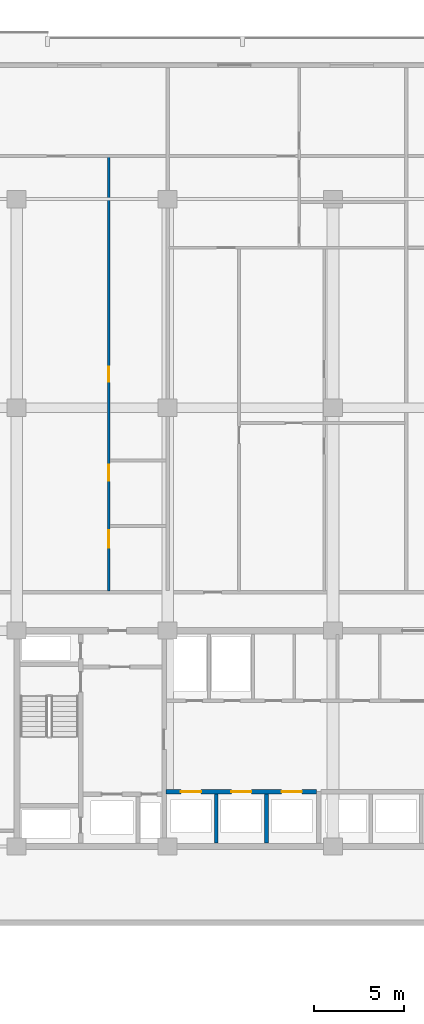
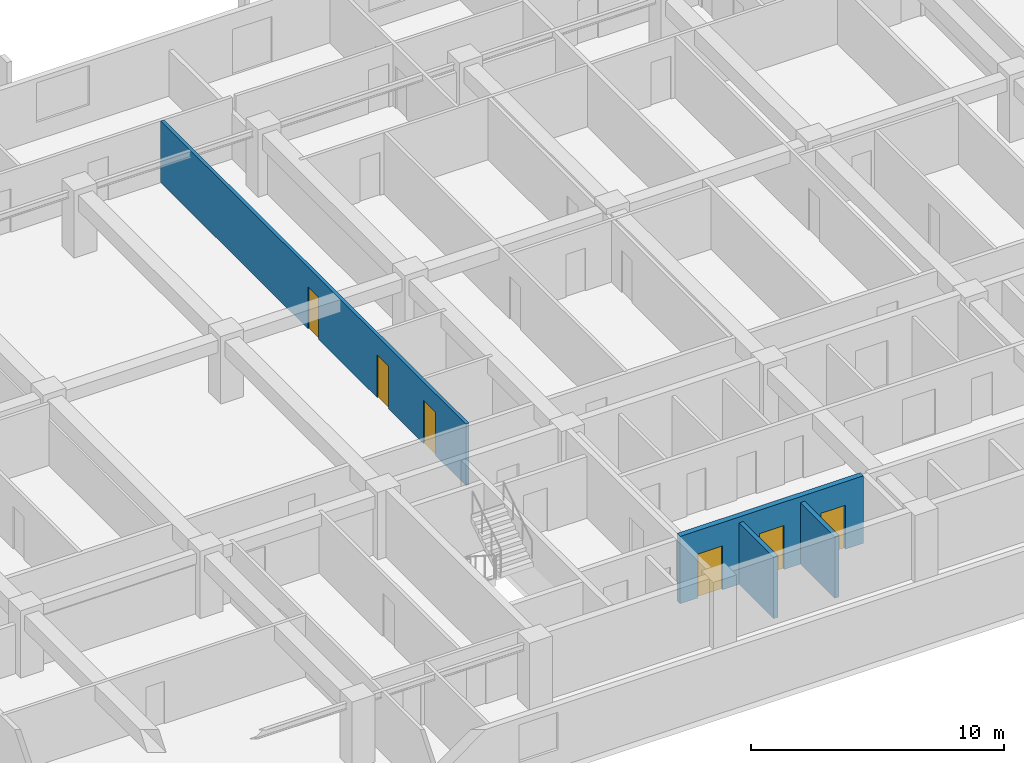
# One storey, part 10 of 23: 6 doors, 4 walls, 6 openings.
"""IFC4 building model written with IfcOpenShell, lengths in metres."""

from ifc_helpers import new_model, si_unit, direction, frame, frame_2d, origin, place, context, subcontext, project, spatial, rectangle, extrude, material, layer, layer_set, type_object, element, fill, save


model = new_model("IFC4")

# Units and contexts
model_context = context("Model", 3, precision=1e-05, world=origin(), true_north=direction((0.0, 1.0)))
body_context = subcontext(model_context, "Body", "Model", "MODEL_VIEW")
ifc_project = project(units=[si_unit("LENGTHUNIT", "METRE"), si_unit("AREAUNIT", "SQUARE_METRE"), si_unit("VOLUMEUNIT", "CUBIC_METRE"), si_unit("PLANEANGLEUNIT", "RADIAN"), si_unit("MASSUNIT", "GRAM", prefix="KILO")], contexts=[model_context])

# Site, building, storey
site_placement = place(None, origin())
site = spatial("IfcSite", under=ifc_project, at=site_placement, CompositionType="ELEMENT")
building_placement = place(site_placement, origin())
building = spatial("IfcBuilding", under=site, at=building_placement, Name="Korimba Cascade Residences", CompositionType="ELEMENT")
storey_placement = place(building_placement, frame((0.0, 0.0, 40.25)))
storey = spatial("IfcBuildingStorey", under=building, at=storey_placement, Name="L10", CompositionType="ELEMENT", Elevation=40.25)

# Wall, openings, doors
ifc_material_1 = material(Name="Insulated Acoustic Stud Partition", Category="gypsum")
ifc_layer_1 = layer(ifc_material_1, 0.14990234375)
ifc_layer_set_1 = layer_set([ifc_layer_1], Name="Insulated Acoustic Stud Partition")
wall_type_1 = type_object("IfcWallType", Name="WAL-PART-150", PredefinedType="PARTITIONING", material=ifc_layer_set_1)
wall_1_placement = place(storey_placement, frame((81.2294921875, 69.409912109375, 0.0), z_axis=(0.0, 0.0, 1.0), x_axis=(0.0, 1.0, 0.0)))
wall_1 = element("IfcWall", 1, at=wall_1_placement, inside=storey, type_object=wall_type_1, Name="L10 Partition Wall WAL-L10-T1-U02-WCV", PredefinedType="PARTITIONING", context=body_context, shape_type="SweptSolid", body=[
    extrude(rectangle(XDim=24.130126953125, YDim=0.14990234375, at=frame_2d((12.06494140625, 0.0))), origin(), (0.0, 0.0, 1.0), 2.969970703125),
])
opening_1_placement = place(wall_1_placement, frame((2.406005859375, 0.0, 0.0)))
opening_1 = element("IfcOpeningElement", 2, at=opening_1_placement, cuts=wall_1, Name="Opening D-AC1", PredefinedType="OPENING", context=body_context, shape_type="SweptSolid", body=[
    extrude(rectangle(XDim=0.9599609375, YDim=2.10009765625, at=frame_2d((0.47998046875, 1.050048828125))), frame((0.0, 0.0849609375, 0.0), z_axis=(0.0, -1.0, 0.0), x_axis=(1.0, 0.0, 0.0)), (0.0, 0.0, 1.0), 0.169921875),
])
opening_2_placement = place(wall_1_placement, frame((6.132568359375, 0.0, 0.0)))
opening_2 = element("IfcOpeningElement", 3, at=opening_2_placement, cuts=wall_1, Name="Opening D-IN2", PredefinedType="OPENING", context=body_context, shape_type="SweptSolid", body=[
    extrude(rectangle(XDim=0.8798828125, YDim=2.06005859375, at=frame_2d((0.43994140625, 1.030029296875))), frame((0.0, 0.0849609375, 0.0), z_axis=(0.0, -1.0, 0.0), x_axis=(1.0, 0.0, 0.0)), (0.0, 0.0, 1.0), 0.169921875),
])
opening_3_placement = place(wall_1_placement, frame((11.64501953125, 0.0, 0.0)))
opening_3 = element("IfcOpeningElement", 4, at=opening_3_placement, cuts=wall_1, Name="Opening D-BT1", PredefinedType="OPENING", context=body_context, shape_type="SweptSolid", body=[
    extrude(rectangle(XDim=0.840087890625, YDim=2.0400390625, at=frame_2d((0.419921875, 1.02001953125))), frame((0.0, 0.0849609375, 0.0), z_axis=(0.0, -1.0, 0.0), x_axis=(1.0, 0.0, 0.0)), (0.0, 0.0, 1.0), 0.169921875),
])
ifc_material_2 = material(Name="Accessible Acoustic Timber WC Door", Category="wood")
door_type_1 = type_object("IfcDoorType", Name="DR-ACC-950", OperationType="NOTDEFINED", PredefinedType="DOOR", material=ifc_material_2)
door_1_placement = place(opening_1_placement, origin())
door_1 = element("IfcDoor", 5, at=door_1_placement, inside=storey, type_object=door_type_1, Name="L10-T1-U02 Accessible WC Door", OperationType="SINGLE_SWING_LEFT", OverallHeight=2.10009765625, OverallWidth=0.9599609375, PredefinedType="DOOR", context=body_context, shape_type="SweptSolid", body=[
    extrude(rectangle(XDim=0.9599609375, YDim=2.10009765625, at=frame_2d((0.47998046875, 1.050048828125))), frame((0.0, 0.02490234375, 0.0), z_axis=(0.0, -1.0, 0.0), x_axis=(1.0, 0.0, 0.0)), (0.0, 0.0, 1.0), 0.050048828125),
])
fill(opening_1, door_1)
ifc_material_3 = material(Name="Moisture-Resistant Bathroom Timber Door", Category="wood")
door_type_2 = type_object("IfcDoorType", Name="DR-INT-850", OperationType="NOTDEFINED", PredefinedType="DOOR", material=ifc_material_3)
door_2_placement = place(opening_3_placement, origin())
door_2 = element("IfcDoor", 6, at=door_2_placement, inside=storey, type_object=door_type_2, Name="L10-T1-U02 Suite Store Door", OperationType="SINGLE_SWING_LEFT", OverallHeight=2.0400390625, OverallWidth=0.840087890625, PredefinedType="DOOR", context=body_context, shape_type="SweptSolid", body=[
    extrude(rectangle(XDim=0.840087890625, YDim=2.0400390625, at=frame_2d((0.419921875, 1.02001953125))), frame((0.0, 0.02490234375, 0.0), z_axis=(0.0, -1.0, 0.0), x_axis=(1.0, 0.0, 0.0)), (0.0, 0.0, 1.0), 0.050048828125),
])
fill(opening_3, door_2)
ifc_material_4 = material(Name="Acoustic Timber Bedroom Door", Category="wood")
door_type_3 = type_object("IfcDoorType", Name="DR-INT-880", OperationType="NOTDEFINED", PredefinedType="DOOR", material=ifc_material_4)
door_3_placement = place(opening_2_placement, origin())
door_3 = element("IfcDoor", 7, at=door_3_placement, inside=storey, type_object=door_type_3, Name="L10-T1-U02 Restroom WC Door", OperationType="SINGLE_SWING_RIGHT", OverallHeight=2.06005859375, OverallWidth=0.8798828125, PredefinedType="DOOR", context=body_context, shape_type="SweptSolid", body=[
    extrude(rectangle(XDim=0.8798828125, YDim=2.06005859375, at=frame_2d((0.43994140625, 1.030029296875))), frame((0.0, 0.02490234375, 0.0), z_axis=(0.0, -1.0, 0.0), x_axis=(1.0, 0.0, 0.0)), (0.0, 0.0, 1.0), 0.050048828125),
])
fill(opening_2, door_3)

# Walls
ifc_material_5 = material(Name="Concrete C40/50", Category="concrete")
ifc_layer_2 = layer(ifc_material_5, 0.199951171875)
ifc_layer_set_2 = layer_set([ifc_layer_2], Name="Concrete C40/50")
wall_type_2 = type_object("IfcWallType", Name="WAL-PART-200", PredefinedType="PARTITIONING", material=ifc_layer_set_2)
for number, where, z_axis, x_axis, name in (
    (8, (87.199951171875, 55.39990234375, 0.0), (0.0, 0.0, 1.0), (0.0, 1.0, 0.0), "L10 Partition Wall CW-L10-T1-B1D1"),
    (9, (90.0, 55.39990234375, 0.0), (0.0, 0.0, 1.0), (0.0, 1.0, 0.0), "L10 Partition Wall CW-L10-T1-B1D2"),
):
    element("IfcWall", number, at=place(storey_placement, frame(where, z_axis=z_axis, x_axis=x_axis)), inside=storey, type_object=wall_type_2, Name=name, PredefinedType="PARTITIONING", context=body_context, shape_type="SweptSolid", body=[
        extrude(rectangle(XDim=2.72021484375, YDim=0.199951171875, at=frame_2d((1.360107421875, 0.0))), origin(), (0.0, 0.0, 1.0), 2.969970703125),
    ])

# Wall, openings, doors
ifc_material_6 = material(Name="Concrete C50/60", Category="concrete")
ifc_layer_3 = layer(ifc_material_6, 0.25)
ifc_layer_set_3 = layer_set([ifc_layer_3], Name="Concrete C50/60")
wall_type_3 = type_object("IfcWallType", Name="WAL-SHAFT-250", PredefinedType="SHEAR", material=ifc_layer_set_3)
wall_2_placement = place(storey_placement, frame((84.419921875, 58.25, 0.0), z_axis=(0.0, 0.0, 1.0), x_axis=(1.0, 0.0, 0.0)))
wall_2 = element("IfcWall", 10, at=wall_2_placement, inside=storey, type_object=wall_type_3, Name="L10 Core Shear Wall CW-L10-T1-B1N", PredefinedType="SHEAR", context=body_context, shape_type="SweptSolid", body=[
    extrude(rectangle(XDim=8.360107421875, YDim=0.25, at=frame_2d((4.18017578125, 0.0))), origin(), (0.0, 0.0, 1.0), 3.25),
])
opening_4_placement = place(wall_2_placement, frame((0.820068359375, 0.0, 0.0)))
opening_4 = element("IfcOpeningElement", 11, at=opening_4_placement, cuts=wall_2, Name="Opening LD-01", PredefinedType="OPENING", context=body_context, shape_type="SweptSolid", body=[
    extrude(rectangle(XDim=1.1201171875, YDim=2.1201171875, at=frame_2d((0.56005859375, 1.06005859375))), frame((0.0, 0.135009765625, 0.0), z_axis=(0.0, -1.0, 0.0), x_axis=(1.0, 0.0, 0.0)), (0.0, 0.0, 1.0), 0.27001953125),
])
opening_5_placement = place(wall_2_placement, frame((3.6201171875, 0.0, 0.0)))
opening_5 = element("IfcOpeningElement", 12, at=opening_5_placement, cuts=wall_2, Name="Opening LD-01", PredefinedType="OPENING", context=body_context, shape_type="SweptSolid", body=[
    extrude(rectangle(XDim=1.1201171875, YDim=2.1201171875, at=frame_2d((0.56005859375, 1.06005859375))), frame((0.0, 0.135009765625, 0.0), z_axis=(0.0, -1.0, 0.0), x_axis=(1.0, 0.0, 0.0)), (0.0, 0.0, 1.0), 0.27001953125),
])
opening_6_placement = place(wall_2_placement, frame((6.419921875, 0.0, 0.0)))
opening_6 = element("IfcOpeningElement", 13, at=opening_6_placement, cuts=wall_2, Name="Opening LD-01", PredefinedType="OPENING", context=body_context, shape_type="SweptSolid", body=[
    extrude(rectangle(XDim=1.1201171875, YDim=2.1201171875, at=frame_2d((0.56005859375, 1.06005859375))), frame((0.0, 0.135009765625, 0.0), z_axis=(0.0, -1.0, 0.0), x_axis=(1.0, 0.0, 0.0)), (0.0, 0.0, 1.0), 0.27001953125),
])
ifc_material_7 = material(Name="Stainless Steel Lift Landing Sliding Door", Category="steel")
door_type_4 = type_object("IfcDoorType", Name="DR-LIFT-1100", OperationType="NOTDEFINED", PredefinedType="DOOR", material=ifc_material_7)
door_4_placement = place(opening_4_placement, origin())
door_4 = element("IfcDoor", 14, at=door_4_placement, inside=storey, type_object=door_type_4, Name="L10 Lift Landing Door PL-W1", OperationType="SLIDING_TO_LEFT", OverallHeight=2.1201171875, OverallWidth=1.1201171875, PredefinedType="DOOR", context=body_context, shape_type="SweptSolid", body=[
    extrude(rectangle(XDim=1.1201171875, YDim=2.1201171875, at=frame_2d((0.56005859375, 1.06005859375))), frame((0.0, 0.02490234375, 0.0), z_axis=(0.0, -1.0, 0.0), x_axis=(1.0, 0.0, 0.0)), (0.0, 0.0, 1.0), 0.050048828125),
])
fill(opening_4, door_4)
door_5_placement = place(opening_5_placement, origin())
door_5 = element("IfcDoor", 15, at=door_5_placement, inside=storey, type_object=door_type_4, Name="L10 Lift Landing Door PL-W2", OperationType="SLIDING_TO_LEFT", OverallHeight=2.1201171875, OverallWidth=1.1201171875, PredefinedType="DOOR", context=body_context, shape_type="SweptSolid", body=[
    extrude(rectangle(XDim=1.1201171875, YDim=2.1201171875, at=frame_2d((0.56005859375, 1.06005859375))), frame((0.0, 0.02490234375, 0.0), z_axis=(0.0, -1.0, 0.0), x_axis=(1.0, 0.0, 0.0)), (0.0, 0.0, 1.0), 0.050048828125),
])
fill(opening_5, door_5)
door_6_placement = place(opening_6_placement, origin())
door_6 = element("IfcDoor", 16, at=door_6_placement, inside=storey, type_object=door_type_4, Name="L10 Lift Landing Door PL-W3", OperationType="SLIDING_TO_LEFT", OverallHeight=2.1201171875, OverallWidth=1.1201171875, PredefinedType="DOOR", context=body_context, shape_type="SweptSolid", body=[
    extrude(rectangle(XDim=1.1201171875, YDim=2.1201171875, at=frame_2d((0.56005859375, 1.06005859375))), frame((0.0, 0.02490234375, 0.0), z_axis=(0.0, -1.0, 0.0), x_axis=(1.0, 0.0, 0.0)), (0.0, 0.0, 1.0), 0.050048828125),
])
fill(opening_6, door_6)

save(model, "model.ifc")
